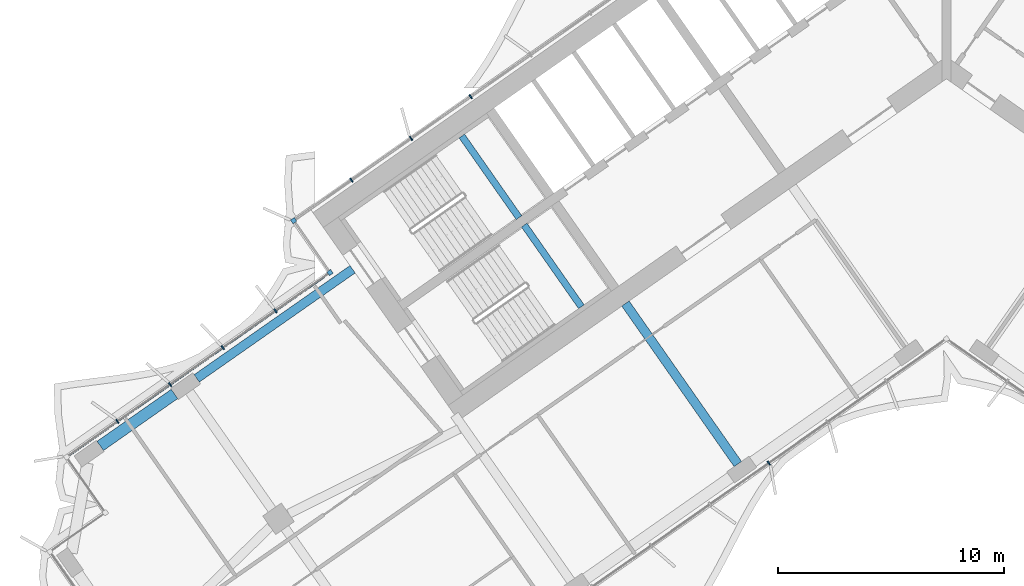
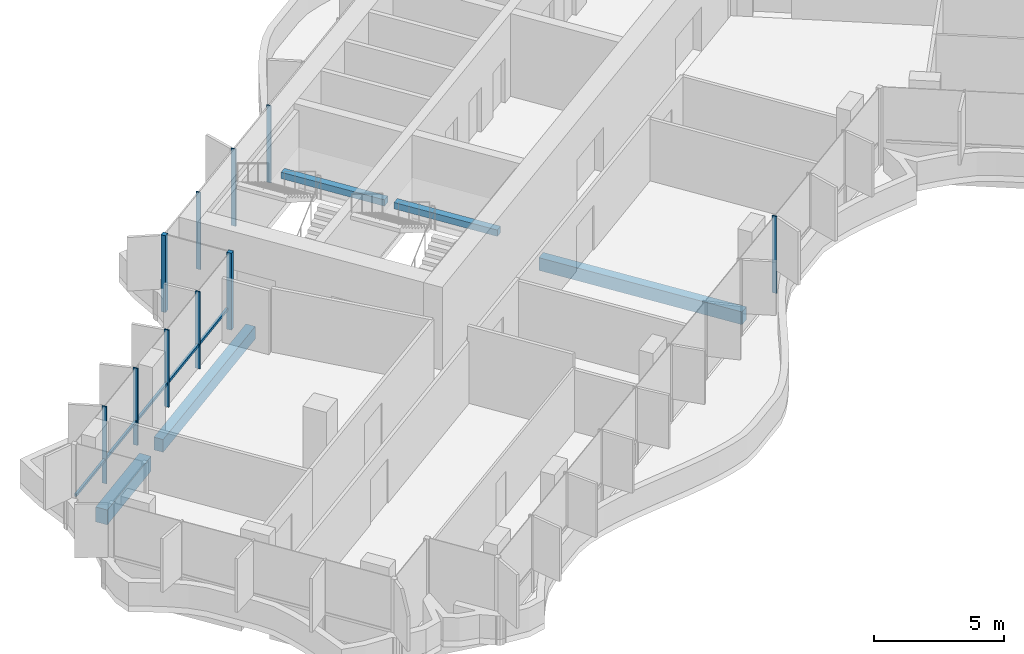
# One storey, part 4 of 21: 11 members, 5 beams, 2 elements without a shape of their own.
"""IFC4 building model written with IfcOpenShell, lengths in metres."""

from ifc_helpers import new_model, si_unit, direction, frame, origin, origin_2d, place, context, subcontext, project, spatial, rectangle, extrude, material, material_profile, profile_set, type_object, element, aggregate, save


model = new_model("IFC4")

# Units and contexts
model_context = context("Model", 3, precision=1e-05, world=origin(), true_north=direction((0.0, 1.0)))
body_context = subcontext(model_context, "Body", "Model", "MODEL_VIEW")
ifc_project = project(units=[si_unit("LENGTHUNIT", "METRE"), si_unit("AREAUNIT", "SQUARE_METRE"), si_unit("VOLUMEUNIT", "CUBIC_METRE"), si_unit("PLANEANGLEUNIT", "RADIAN"), si_unit("MASSUNIT", "GRAM", prefix="KILO")], contexts=[model_context])

# Site, building, storey
site_placement = place(None, origin())
site = spatial("IfcSite", under=ifc_project, at=site_placement, CompositionType="ELEMENT")
building_placement = place(site_placement, origin())
building = spatial("IfcBuilding", under=site, at=building_placement, Name="Tel Ilan Convention Tower", CompositionType="ELEMENT")
storey_placement = place(building_placement, frame((0.0, 0.0, 147.60009765625)))
storey = spatial("IfcBuildingStorey", under=building, at=storey_placement, Name="L33", CompositionType="ELEMENT", Elevation=147.60009765625)

# Beams
ifc_material_1 = material(Name="Concrete C40/50", Category="concrete")
ifc_material_profile_1 = material_profile(ifc_material_1, rectangle(XDim=0.39990234375, YDim=0.60009765625, at=origin_2d()), Name="RC 400x600")
ifc_profile_set_1 = profile_set([ifc_material_profile_1], Name="Concrete C40/50")
beam_type_1 = type_object("IfcBeamType", Name="Beam RC 400x600 Concrete C40/50", PredefinedType="BEAM", material=ifc_profile_set_1)
beam_1_placement = place(storey_placement, frame((-33.09912109375, -14.44775390625, -0.580078125), z_axis=(0.819147254605, 0.573583276668, 0.0), x_axis=(-0.573583276668, 0.819147254605, 0.0)))
element("IfcBeam", 1, at=beam_1_placement, inside=storey, type_object=beam_type_1, Name="L33 beam W-W-B4-core", PredefinedType="BEAM", context=body_context, shape_type="SweptSolid", body=[
    extrude(rectangle(XDim=0.39990234375, YDim=0.60009765625, at=origin_2d()), origin(), (0.0, 0.0, 1.0), 8.400146484375),
])
beam_2_placement = place(storey_placement, frame((-9.209716796875, -18.229248046875, -0.580078125), z_axis=(-0.573574099654, 0.819153680457, 0.0), x_axis=(-0.819153680457, -0.573574099654, 0.0)))
element("IfcBeam", 2, at=beam_2_placement, inside=storey, type_object=beam_type_1, Name="L33 beam W-W-F2-core", PredefinedType="BEAM", context=body_context, shape_type="SweptSolid", body=[
    extrude(rectangle(XDim=0.39990234375, YDim=0.60009765625, at=origin_2d()), origin(), (0.0, 0.0, 1.0), 8.64990234375),
])
ifc_material_2 = material(Name="Concrete C40/50", Category="concrete")
ifc_material_profile_2 = material_profile(ifc_material_2, rectangle(XDim=0.5, YDim=0.699951171875, at=origin_2d()), Name="RC 500x700")
ifc_profile_set_2 = profile_set([ifc_material_profile_2], Name="Concrete C40/50")
beam_type_2 = type_object("IfcBeamType", Name="Beam RC 500x700 Concrete C40/50", PredefinedType="BEAM", material=ifc_profile_set_2)
beam_3_placement = place(storey_placement, frame((-37.358642578125, -17.430419921875, -0.630126953125), z_axis=(0.819137286189, 0.573597512525, 0.0), x_axis=(-0.573597512525, 0.819137286189, 0.0)))
element("IfcBeam", 3, at=beam_3_placement, inside=storey, type_object=beam_type_2, Name="L33 beam W-W-BC-W-B4", PredefinedType="BEAM", context=body_context, shape_type="SweptSolid", body=[
    extrude(rectangle(XDim=0.5, YDim=0.699951171875, at=origin_2d()), origin(), (0.0, 0.0, 1.0), 4.0),
])

# Curtain wall, members
ifc_material_3 = material(Name="Aluminium, bronze anodised", Category="aluminium")
curtain_wall_type_1 = type_object("IfcCurtainWallType", Name="CW2 STICK CURTAIN WALL, SPANDREL PANELS", PredefinedType="NOTDEFINED", material=ifc_material_3)
curtain_wall_1_placement = place(storey_placement, origin())
curtain_wall_1 = element("IfcCurtainWall", 4, at=curtain_wall_1_placement, inside=storey, type_object=curtain_wall_type_1, Name="Curtain wall CW2-27.01", PredefinedType="NOTDEFINED")
ifc_material_4 = material(Name="Aluminium, bronze anodised", Category="aluminium")
ifc_material_profile_3 = material_profile(ifc_material_4, rectangle(XDim=0.199951171875, YDim=0.199951171875, at=origin_2d()), Name="CW CORNER MULLION 200x200")
ifc_profile_set_3 = profile_set([ifc_material_profile_3], Name="Aluminium, bronze anodised")
member_type_1 = type_object("IfcMemberType", Name="CW CORNER MULLION 200x200", PredefinedType="MULLION", material=ifc_profile_set_3)
member_1_placement = place(storey_placement, frame((-28.819580078125, -7.483642578125, 0.0), z_axis=(0.0, 0.0, 1.0), x_axis=(-0.819152044289, -0.573576436351, 0.0)))
member_1 = element("IfcMember", 5, at=member_1_placement, type_object=member_type_1, Name="Corner mullion", PredefinedType="MULLION", context=body_context, shape_type="SweptSolid", body=[
    extrude(rectangle(XDim=0.199951171875, YDim=0.199951171875, at=origin_2d()), origin(), (0.0, 0.0, 1.0), 3.619873046875),
])
member_2_placement = place(storey_placement, frame((-27.213623046875, -9.77734375, 0.0), z_axis=(0.0, 0.0, 1.0), x_axis=(0.573576436351, -0.819152044289, 0.0)))
member_2 = element("IfcMember", 6, at=member_2_placement, type_object=member_type_1, Name="Corner mullion", PredefinedType="MULLION", context=body_context, shape_type="SweptSolid", body=[
    extrude(rectangle(XDim=0.199951171875, YDim=0.199951171875, at=origin_2d()), origin(), (0.0, 0.0, 1.0), 3.619873046875),
])
ifc_material_5 = material(Name="Aluminium, bronze anodised", Category="aluminium")
ifc_material_profile_4 = material_profile(ifc_material_5, rectangle(XDim=0.06005859375, YDim=0.199951171875, at=origin_2d()), Name="CW MULLION 60x200")
ifc_profile_set_4 = profile_set([ifc_material_profile_4], Name="Aluminium, bronze anodised")
member_type_2 = type_object("IfcMemberType", Name="CW MULLION 60x200", PredefinedType="MULLION", material=ifc_profile_set_4)
member_3_placement = place(storey_placement, frame((-21.003662109375, -2.0107421875, 0.0), z_axis=(0.0, 0.0, 1.0), x_axis=(-0.819152044289, -0.573576436351, 0.0)))
member_3 = element("IfcMember", 7, at=member_3_placement, type_object=member_type_2, Name="Mullion", PredefinedType="MULLION", context=body_context, shape_type="SweptSolid", body=[
    extrude(rectangle(XDim=0.06005859375, YDim=0.199951171875, at=origin_2d()), origin(), (0.0, 0.0, 1.0), 3.619873046875),
])
member_4_placement = place(storey_placement, frame((-23.63623046875, -3.854248046875, 0.0), z_axis=(0.0, 0.0, 1.0), x_axis=(-0.819152044289, -0.573576436351, 0.0)))
member_4 = element("IfcMember", 8, at=member_4_placement, type_object=member_type_2, Name="Mullion", PredefinedType="MULLION", context=body_context, shape_type="SweptSolid", body=[
    extrude(rectangle(XDim=0.06005859375, YDim=0.199951171875, at=origin_2d()), origin(), (0.0, 0.0, 1.0), 3.619873046875),
])
member_5_placement = place(storey_placement, frame((-26.268798828125, -5.697509765625, 0.0), z_axis=(0.0, 0.0, 1.0), x_axis=(-0.819152044289, -0.573576436351, 0.0)))
member_5 = element("IfcMember", 9, at=member_5_placement, type_object=member_type_2, Name="Mullion", PredefinedType="MULLION", context=body_context, shape_type="SweptSolid", body=[
    extrude(rectangle(XDim=0.06005859375, YDim=0.199951171875, at=origin_2d()), origin(), (0.0, 0.0, 1.0), 3.619873046875),
])
aggregate(curtain_wall_1, [member_3, member_4, member_5, member_1, member_2])

ifc_material_6 = material(Name="Aluminium, bronze anodised", Category="aluminium")
curtain_wall_type_2 = type_object("IfcCurtainWallType", Name="CW4 STICK CURTAIN WALL, OFFICE TINTED GLASS", PredefinedType="NOTDEFINED", material=ifc_material_6)
curtain_wall_2_placement = place(storey_placement, origin())
curtain_wall_2 = element("IfcCurtainWall", 10, at=curtain_wall_2_placement, inside=storey, type_object=curtain_wall_type_2, Name="Curtain wall CW4-27.02", PredefinedType="NOTDEFINED")
member_6_placement = place(storey_placement, frame((-29.621826171875, -11.463623046875, 0.0), z_axis=(0.0, 0.0, 1.0), x_axis=(-0.819152044289, -0.573576436351, 0.0)))
member_6 = element("IfcMember", 11, at=member_6_placement, type_object=member_type_2, Name="Mullion", PredefinedType="MULLION", context=body_context, shape_type="SweptSolid", body=[
    extrude(rectangle(XDim=0.06005859375, YDim=0.199951171875, at=origin_2d()), origin(), (0.0, 0.0, 1.0), 3.619873046875),
])
member_7_placement = place(storey_placement, frame((-31.9482421875, -13.092529296875, 0.0), z_axis=(0.0, 0.0, 1.0), x_axis=(-0.819152044289, -0.573576436351, 0.0)))
member_7 = element("IfcMember", 12, at=member_7_placement, type_object=member_type_2, Name="Mullion", PredefinedType="MULLION", context=body_context, shape_type="SweptSolid", body=[
    extrude(rectangle(XDim=0.06005859375, YDim=0.199951171875, at=origin_2d()), origin(), (0.0, 0.0, 1.0), 3.619873046875),
])
member_8_placement = place(storey_placement, frame((-34.274658203125, -14.721435546875, 0.0), z_axis=(0.0, 0.0, 1.0), x_axis=(-0.819152044289, -0.573576436351, 0.0)))
member_8 = element("IfcMember", 13, at=member_8_placement, type_object=member_type_2, Name="Mullion", PredefinedType="MULLION", context=body_context, shape_type="SweptSolid", body=[
    extrude(rectangle(XDim=0.06005859375, YDim=0.199951171875, at=origin_2d()), origin(), (0.0, 0.0, 1.0), 3.619873046875),
])
member_9_placement = place(storey_placement, frame((-36.60107421875, -16.350341796875, 0.0), z_axis=(0.0, 0.0, 1.0), x_axis=(-0.819152044289, -0.573576436351, 0.0)))
member_9 = element("IfcMember", 14, at=member_9_placement, type_object=member_type_2, Name="Mullion", PredefinedType="MULLION", context=body_context, shape_type="SweptSolid", body=[
    extrude(rectangle(XDim=0.06005859375, YDim=0.199951171875, at=origin_2d()), origin(), (0.0, 0.0, 1.0), 3.619873046875),
])
member_10_placement = place(storey_placement, frame((-7.842529296875, -18.1875, 0.0), z_axis=(0.0, 0.0, 1.0), x_axis=(0.819152044289, 0.573576436351, 0.0)))
member_10 = element("IfcMember", 15, at=member_10_placement, type_object=member_type_2, Name="Mullion", PredefinedType="MULLION", context=body_context, shape_type="SweptSolid", body=[
    extrude(rectangle(XDim=0.06005859375, YDim=0.199951171875, at=origin_2d()), origin(), (0.0, 0.0, 1.0), 3.619873046875),
])
ifc_material_7 = material(Name="Aluminium, bronze anodised", Category="aluminium")
ifc_material_profile_5 = material_profile(ifc_material_7, rectangle(XDim=0.10009765625, YDim=0.1201171875, at=origin_2d()), Name="CW TRANSOM 100x120")
ifc_profile_set_5 = profile_set([ifc_material_profile_5], Name="Aluminium, bronze anodised")
member_type_3 = type_object("IfcMemberType", Name="CW TRANSOM 100x120", PredefinedType="USERDEFINED", material=ifc_profile_set_5)
member_11_placement = place(storey_placement, frame((-27.459228515625, -9.94921875, 1.099853515625), z_axis=(-0.819149630799, -0.573579883156, 0.0), x_axis=(0.573579883156, -0.819149630799, 0.0)))
member_11 = element("IfcMember", 16, at=member_11_placement, type_object=member_type_3, Name="Transom", ObjectType="TRANSOM", PredefinedType="USERDEFINED", context=body_context, shape_type="SweptSolid", body=[
    extrude(rectangle(XDim=0.10009765625, YDim=0.1201171875, at=origin_2d()), origin(), (0.0, 0.0, 1.0), 13.80029296875),
])
aggregate(curtain_wall_2, [member_6, member_7, member_8, member_9, member_11, member_10])

# Beams
ifc_material_8 = material(Name="Concrete C40/50", Category="concrete")
ifc_material_profile_6 = material_profile(ifc_material_8, rectangle(XDim=0.300048828125, YDim=0.300048828125, at=origin_2d()), Name="RC 300x300")
ifc_profile_set_6 = profile_set([ifc_material_profile_6], Name="Concrete C40/50")
beam_type_3 = type_object("IfcBeamType", Name="Landing Beam RC 300x300 Concrete C40/50", PredefinedType="BEAM", material=ifc_profile_set_6)
beam_4_placement = place(storey_placement, frame((-18.870361328125, -7.353515625, 1.599853515625), z_axis=(-0.57354426506, 0.819174569928, 0.0), x_axis=(-0.819174569928, -0.57354426506, 0.0)))
element("IfcBeam", 17, at=beam_4_placement, inside=storey, type_object=beam_type_3, Name="S1 landing beam L33.1", PredefinedType="BEAM", context=body_context, shape_type="SweptSolid", body=[
    extrude(rectangle(XDim=0.300048828125, YDim=0.300048828125, at=origin_2d()), origin(), (0.0, 0.0, 1.0), 4.400146484375),
])
beam_5_placement = place(storey_placement, frame((-16.1171875, -11.285400390625, 1.599853515625), z_axis=(-0.573570334442, 0.819156316858, 0.0), x_axis=(-0.819156316858, -0.573570334442, 0.0)))
element("IfcBeam", 18, at=beam_5_placement, inside=storey, type_object=beam_type_3, Name="S2 landing beam L33.1", PredefinedType="BEAM", context=body_context, shape_type="SweptSolid", body=[
    extrude(rectangle(XDim=0.300048828125, YDim=0.300048828125, at=origin_2d()), origin(), (0.0, 0.0, 1.0), 4.39990234375),
])

save(model, "model.ifc")
